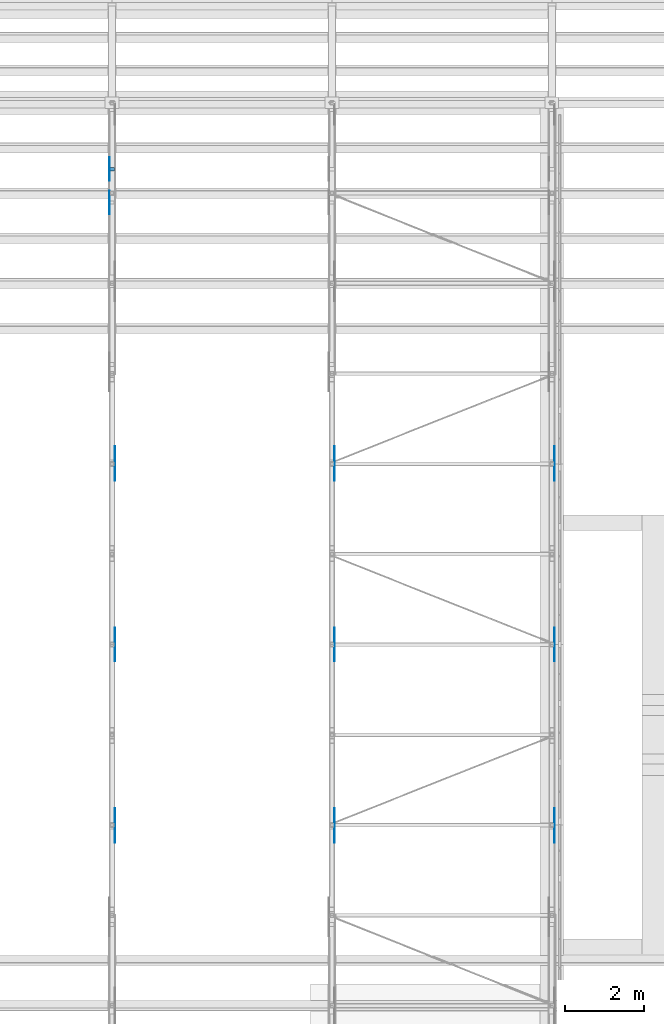
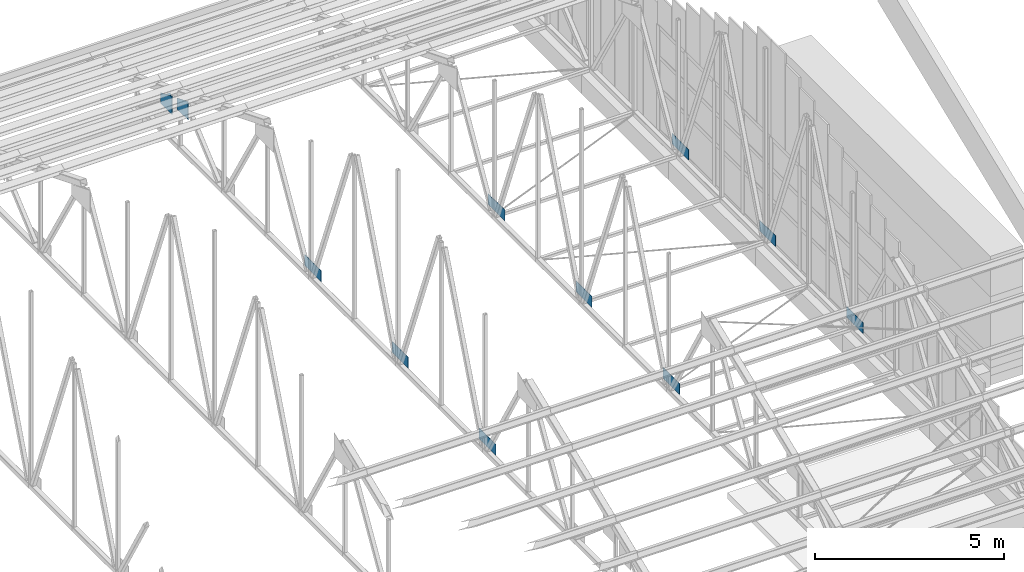
# One storey, part 62 of 71: 12 discrete accessories.
"""IFC4 building model written with IfcOpenShell, lengths in metres."""

from ifc_helpers import new_model, si_unit, direction, frame, origin, origin_2d, place, context, subcontext, project, spatial, polyline, rectangle, outline, extrude, element, save


model = new_model("IFC4")

# Units and contexts
model_context = context("Model", 3, precision=1e-05, world=origin(), true_north=direction((0.0, 1.0)))
body_context = subcontext(model_context, "Body", "Model", "MODEL_VIEW")
ifc_project = project(units=[si_unit("LENGTHUNIT", "METRE"), si_unit("AREAUNIT", "SQUARE_METRE"), si_unit("VOLUMEUNIT", "CUBIC_METRE"), si_unit("PLANEANGLEUNIT", "RADIAN"), si_unit("MASSUNIT", "GRAM", prefix="KILO")], contexts=[model_context])

# Site, building, storey
site_placement = place(None, origin())
site = spatial("IfcSite", under=ifc_project, at=site_placement, CompositionType="ELEMENT")
building_placement = place(site_placement, origin())
building = spatial("IfcBuilding", under=site, at=building_placement, Name="Wasatch Bagh Community Centre", CompositionType="ELEMENT")
storey_placement = place(building_placement, frame((0.0, 0.0, 12.60009765625)))
storey = spatial("IfcBuildingStorey", under=building, at=storey_placement, Name="L03", CompositionType="ELEMENT", Elevation=12.60009765625)

# Discrete accessories
discrete_accessory_1_placement = place(storey_placement, frame((134.60009765625, 64.114990234375, 1.971923828125), z_axis=(0.0, -0.774865020772, 0.632126727472), x_axis=(1.0, 0.0, 0.0)))
element("IfcDiscreteAccessory", 1, at=discrete_accessory_1_placement, inside=storey, Name="SH.SA5.WB12.EPB", PredefinedType="NOTDEFINED", context=body_context, shape_type="SweptSolid", body=[
    extrude(rectangle(XDim=0.126953125, YDim=0.126953125, at=origin_2d()), origin(), (0.0, 0.0, 1.0), 0.011962890625),
])
discrete_accessory_2_placement = place(storey_placement, frame((134.676025390625, 46.94775390625, 0.7626953125), z_axis=(1.0, 0.0, 0.0), x_axis=(0.0, 1.0, 0.0)))
element("IfcDiscreteAccessory", 2, at=discrete_accessory_2_placement, inside=storey, Name="Gusset plate", PredefinedType="BRACKET", context=body_context, shape_type="SweptSolid", body=[
    extrude(outline(polyline([(0.0, 0.0), (0.877197265625, 0.0), (0.877197265625, 0.35009765625), (0.0, 0.35009765625), (0.0, 0.0)])), origin(), (0.0, 0.0, -1.0), 0.011962890625),
])
discrete_accessory_3_placement = place(storey_placement, frame((134.676025390625, 51.57568359375, 0.7626953125), z_axis=(1.0, 0.0, 0.0), x_axis=(0.0, 1.0, 0.0)))
element("IfcDiscreteAccessory", 3, at=discrete_accessory_3_placement, inside=storey, Name="Gusset plate", PredefinedType="BRACKET", context=body_context, shape_type="SweptSolid", body=[
    extrude(outline(polyline([(0.0, 0.0), (0.8486328125, 0.0), (0.8486328125, 0.35009765625), (0.0, 0.35009765625), (0.0, 0.0)])), origin(), (0.0, 0.0, -1.0), 0.011962890625),
])
discrete_accessory_4_placement = place(storey_placement, frame((134.676025390625, 56.175048828125, 0.7626953125), z_axis=(1.0, 0.0, 0.0), x_axis=(0.0, 1.0, 0.0)))
element("IfcDiscreteAccessory", 4, at=discrete_accessory_4_placement, inside=storey, Name="Gusset plate", PredefinedType="BRACKET", context=body_context, shape_type="SweptSolid", body=[
    extrude(outline(polyline([(0.0, 0.0), (0.877197265625, 0.0), (0.877197265625, 0.35009765625), (0.0, 0.35009765625), (0.0, 0.0)])), origin(), (0.0, 0.0, -1.0), 0.011962890625),
])
discrete_accessory_5_placement = place(storey_placement, frame((134.52392578125, 62.958740234375, 2.508056640625), z_axis=(-1.0, 0.0, 0.0), x_axis=(0.0, 0.925978809353, -0.377575482028)))
element("IfcDiscreteAccessory", 5, at=discrete_accessory_5_placement, inside=storey, Name="Gusset plate", PredefinedType="BRACKET", context=body_context, shape_type="SweptSolid", body=[
    extrude(outline(polyline([(0.0, 0.0), (0.5845271621312353, -2.7755575615628914e-17), (0.6477253398659776, -0.00019486601058962827), (0.7799136311813485, 0.3239881448811994), (0.22446198699646316, 0.5504781251893349), (0.0, 0.0)])), origin(), (0.0, 0.0, -1.0), 0.011962890625),
])
discrete_accessory_6_placement = place(storey_placement, frame((134.52392578125, 63.81494140625, 2.1591796875), z_axis=(-1.0, 0.0, 0.0), x_axis=(0.0, 0.926014333695, -0.377488349212)))
element("IfcDiscreteAccessory", 6, at=discrete_accessory_6_placement, inside=storey, Name="Gusset plate", PredefinedType="BRACKET", context=body_context, shape_type="SweptSolid", body=[
    extrude(outline(polyline([(0.0, 0.0), (0.6480435932943203, -2.7755575615628914e-17), (0.7801092193735699, 0.3239693701624707), (0.22441018806906693, 0.5504992437861941), (0.0, 0.0)])), origin(), (0.0, 0.0, -1.0), 0.011962890625),
])
discrete_accessory_7_placement = place(storey_placement, frame((140.27587890625, 46.94775390625, 0.7626953125), z_axis=(1.0, 0.0, 0.0), x_axis=(0.0, 1.0, 0.0)))
element("IfcDiscreteAccessory", 7, at=discrete_accessory_7_placement, inside=storey, Name="Gusset plate", PredefinedType="BRACKET", context=body_context, shape_type="SweptSolid", body=[
    extrude(outline(polyline([(0.0, 0.0), (0.877197265625, 0.0), (0.877197265625, 0.35009765625), (0.0, 0.35009765625), (0.0, 0.0)])), origin(), (0.0, 0.0, -1.0), 0.011962890625),
])
discrete_accessory_8_placement = place(storey_placement, frame((140.27587890625, 51.57568359375, 0.7626953125), z_axis=(1.0, 0.0, 0.0), x_axis=(0.0, 1.0, 0.0)))
element("IfcDiscreteAccessory", 8, at=discrete_accessory_8_placement, inside=storey, Name="Gusset plate", PredefinedType="BRACKET", context=body_context, shape_type="SweptSolid", body=[
    extrude(outline(polyline([(0.0, 0.0), (0.8486328125, 0.0), (0.8486328125, 0.35009765625), (0.0, 0.35009765625), (0.0, 0.0)])), origin(), (0.0, 0.0, -1.0), 0.011962890625),
])
for number, where, z_axis, x_axis, name in (
    (9, (140.27587890625, 56.175048828125, 0.7626953125), (1.0, 0.0, 0.0), (0.0, 1.0, 0.0), "Gusset plate"),
    (10, (145.8759765625, 46.94775390625, 0.7626953125), (1.0, 0.0, 0.0), (0.0, 1.0, 0.0), "Gusset plate"),
):
    element("IfcDiscreteAccessory", number, at=place(storey_placement, frame(where, z_axis=z_axis, x_axis=x_axis)), inside=storey, Name=name, PredefinedType="BRACKET", context=body_context, shape_type="SweptSolid", body=[
        extrude(outline(polyline([(0.0, 0.0), (0.877197265625, 0.0), (0.877197265625, 0.35009765625), (0.0, 0.35009765625), (0.0, 0.0)])), origin(), (0.0, 0.0, -1.0), 0.011962890625),
    ])
discrete_accessory_9_placement = place(storey_placement, frame((145.8759765625, 51.57568359375, 0.7626953125), z_axis=(1.0, 0.0, 0.0), x_axis=(0.0, 1.0, 0.0)))
element("IfcDiscreteAccessory", 11, at=discrete_accessory_9_placement, inside=storey, Name="Gusset plate", PredefinedType="BRACKET", context=body_context, shape_type="SweptSolid", body=[
    extrude(outline(polyline([(0.0, 0.0), (0.8486328125, 0.0), (0.8486328125, 0.35009765625), (0.0, 0.35009765625), (0.0, 0.0)])), origin(), (0.0, 0.0, -1.0), 0.011962890625),
])
discrete_accessory_10_placement = place(storey_placement, frame((145.8759765625, 56.175048828125, 0.7626953125), z_axis=(1.0, 0.0, 0.0), x_axis=(0.0, 1.0, 0.0)))
element("IfcDiscreteAccessory", 12, at=discrete_accessory_10_placement, inside=storey, Name="Gusset plate", PredefinedType="BRACKET", context=body_context, shape_type="SweptSolid", body=[
    extrude(outline(polyline([(0.0, 0.0), (0.877197265625, 0.0), (0.877197265625, 0.35009765625), (0.0, 0.35009765625), (0.0, 0.0)])), origin(), (0.0, 0.0, -1.0), 0.011962890625),
])

save(model, "model.ifc")
